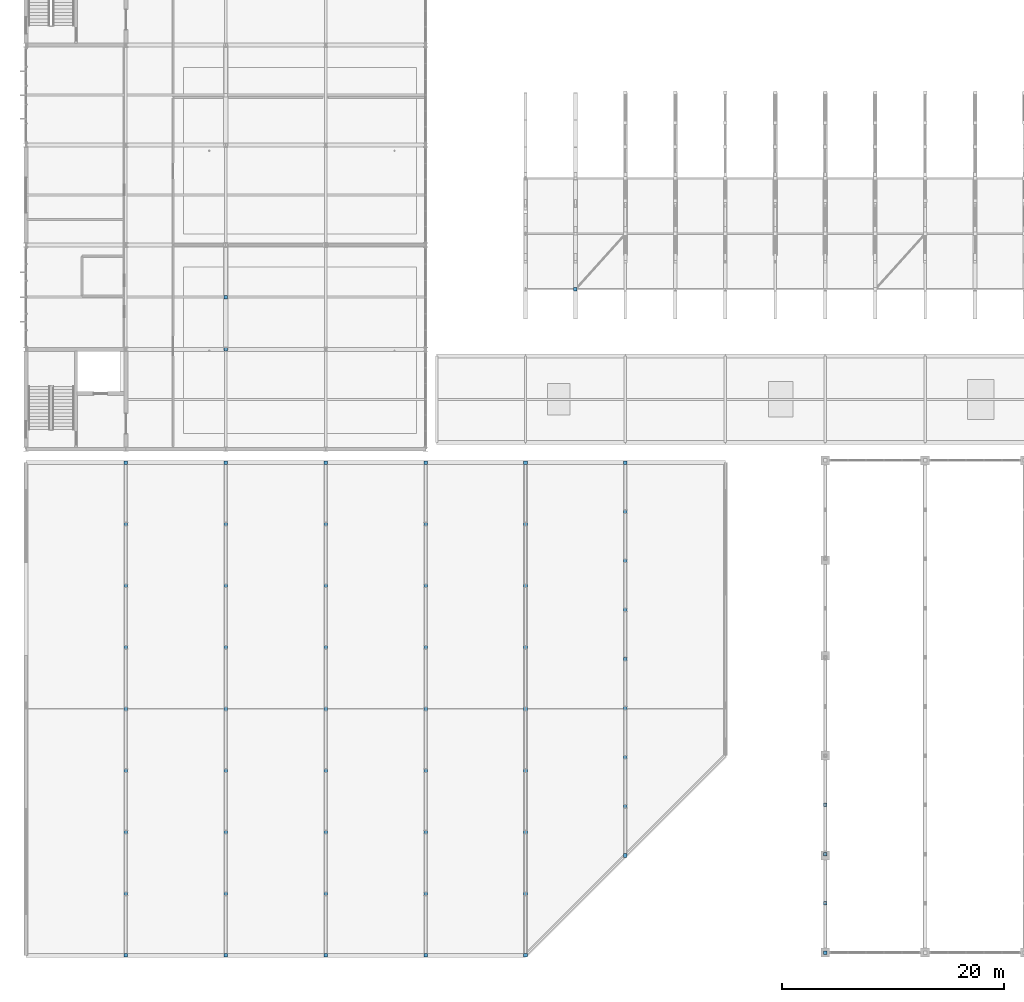
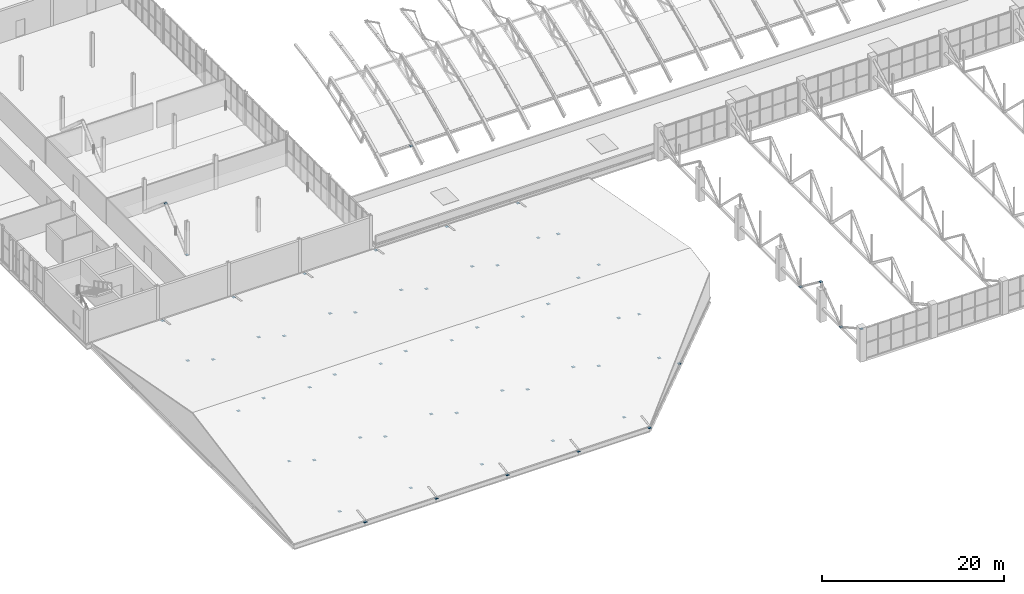
# One storey, part 94 of 103: 61 discrete accessories.
"""IFC4 building model written with IfcOpenShell, lengths in metres."""

from ifc_helpers import new_model, si_unit, direction, frame, origin, origin_2d, place, context, subcontext, project, spatial, rectangle, extrude, material, type_object, element, save


model = new_model("IFC4")

# Units and contexts
model_context = context("Model", 3, precision=1e-05, world=origin(), true_north=direction((0.0, 1.0)))
body_context = subcontext(model_context, "Body", "Model", "MODEL_VIEW")
ifc_project = project(units=[si_unit("LENGTHUNIT", "METRE"), si_unit("AREAUNIT", "SQUARE_METRE"), si_unit("VOLUMEUNIT", "CUBIC_METRE"), si_unit("PLANEANGLEUNIT", "RADIAN"), si_unit("MASSUNIT", "GRAM", prefix="KILO")], contexts=[model_context])

# Site, building, storey
site_placement = place(None, origin())
site = spatial("IfcSite", under=ifc_project, at=site_placement, CompositionType="ELEMENT")
building_placement = place(site_placement, origin())
building = spatial("IfcBuilding", under=site, at=building_placement, Name="Cazmaro Siding Exhibition Halls", CompositionType="ELEMENT")
storey_placement = place(building_placement, frame((0.0, 0.0, 16.5)))
storey = spatial("IfcBuildingStorey", under=building, at=storey_placement, Name="L03", CompositionType="ELEMENT", Elevation=16.5)

# Discrete accessories
ifc_material = material(Name="Steel ASTM A572 Grade 50", Category="steel")
discrete_accessory_type = type_object("IfcDiscreteAccessoryType", Name="GP-CONN-01", PredefinedType="BRACKET", material=ifc_material)
for number, where, z_axis, x_axis, name in (
    (1, (9.0, 9.0, 0.48486328125), (0.0, 0.0, 1.0), (1.0, 0.0, 0.0), "Welded Steel Brace Node Gusset Connection GP-01 0001"),
    (2, (9.0, 14.550048828125, -1.46484375), (0.0, 0.0, 1.0), (1.0, 0.0, 0.0), "Welded Steel Brace Node Gusset Connection GP-01 0002"),
    (3, (9.0, 20.10009765625, 2.044921875), (0.0, 0.0, 1.0), (1.0, 0.0, 0.0), "Welded Steel Brace Node Gusset Connection GP-01 0003"),
    (4, (9.0, 25.64990234375, -1.46484375), (0.0, 0.0, 1.0), (1.0, 0.0, 0.0), "Welded Steel Brace Node Gusset Connection GP-01 0004"),
    (5, (9.0, 31.199951171875, 3.60498046875), (0.0, 0.0, 1.0), (1.0, 0.0, 0.0), "Welded Steel Brace Node Gusset Connection GP-01 0005"),
    (6, (9.0, 36.75, -1.46484375), (0.0, 0.0, 1.0), (1.0, 0.0, 0.0), "Welded Steel Brace Node Gusset Connection GP-01 0006"),
    (7, (9.0, 42.300048828125, 2.044921875), (0.0, 0.0, 1.0), (1.0, 0.0, 0.0), "Welded Steel Brace Node Gusset Connection GP-01 0007"),
    (8, (9.0, 47.85009765625, -1.46484375), (0.0, 0.0, 1.0), (1.0, 0.0, 0.0), "Welded Steel Brace Node Gusset Connection GP-01 0008"),
    (9, (9.0, 53.39990234375, 0.48486328125), (0.0, 0.0, 1.0), (1.0, 0.0, 0.0), "Welded Steel Brace Node Gusset Connection GP-01 0009"),
    (10, (18.0, 9.0, 0.48486328125), (0.0, 0.0, 1.0), (1.0, 0.0, 0.0), "Welded Steel Brace Node Gusset Connection GP-01 0016"),
    (11, (18.0, 14.550048828125, -1.46484375), (0.0, 0.0, 1.0), (1.0, 0.0, 0.0), "Welded Steel Brace Node Gusset Connection GP-01 0017"),
    (12, (18.0, 20.10009765625, 2.044921875), (0.0, 0.0, 1.0), (1.0, 0.0, 0.0), "Welded Steel Brace Node Gusset Connection GP-01 0018"),
    (13, (18.0, 25.64990234375, -1.46484375), (0.0, 0.0, 1.0), (1.0, 0.0, 0.0), "Welded Steel Brace Node Gusset Connection GP-01 0019"),
    (14, (18.0, 31.199951171875, 3.60498046875), (0.0, 0.0, 1.0), (1.0, 0.0, 0.0), "Welded Steel Brace Node Gusset Connection GP-01 0020"),
    (15, (18.0, 36.75, -1.46484375), (0.0, 0.0, 1.0), (1.0, 0.0, 0.0), "Welded Steel Brace Node Gusset Connection GP-01 0021"),
    (16, (18.0, 42.300048828125, 2.044921875), (0.0, 0.0, 1.0), (1.0, 0.0, 0.0), "Welded Steel Brace Node Gusset Connection GP-01 0022"),
    (17, (18.0, 47.85009765625, -1.46484375), (0.0, 0.0, 1.0), (1.0, 0.0, 0.0), "Welded Steel Brace Node Gusset Connection GP-01 0023"),
    (18, (18.0, 53.39990234375, 0.48486328125), (0.0, 0.0, 1.0), (1.0, 0.0, 0.0), "Welded Steel Brace Node Gusset Connection GP-01 0024"),
    (19, (18.0, 63.60009765625, -0.01513671875), (0.0, 0.0, 1.0), (1.0, 0.0, 0.0), "Welded Steel Brace Node Gusset Connection GP-01 0027"),
    (20, (18.0, 68.300048828125, 3.9970703125), (0.0, 0.0, 1.0), (1.0, 0.0, 0.0), "Welded Steel Brace Node Gusset Connection GP-01 0031"),
    (21, (27.0, 9.0, 0.48486328125), (0.0, 0.0, 1.0), (1.0, 0.0, 0.0), "Welded Steel Brace Node Gusset Connection GP-01 0049"),
    (22, (27.0, 14.550048828125, -1.46484375), (0.0, 0.0, 1.0), (1.0, 0.0, 0.0), "Welded Steel Brace Node Gusset Connection GP-01 0050"),
    (23, (27.0, 20.10009765625, 2.044921875), (0.0, 0.0, 1.0), (1.0, 0.0, 0.0), "Welded Steel Brace Node Gusset Connection GP-01 0051"),
    (24, (27.0, 25.64990234375, -1.46484375), (0.0, 0.0, 1.0), (1.0, 0.0, 0.0), "Welded Steel Brace Node Gusset Connection GP-01 0052"),
    (25, (27.0, 31.199951171875, 3.60498046875), (0.0, 0.0, 1.0), (1.0, 0.0, 0.0), "Welded Steel Brace Node Gusset Connection GP-01 0053"),
    (26, (27.0, 36.75, -1.46484375), (0.0, 0.0, 1.0), (1.0, 0.0, 0.0), "Welded Steel Brace Node Gusset Connection GP-01 0054"),
    (27, (27.0, 42.300048828125, 2.044921875), (0.0, 0.0, 1.0), (1.0, 0.0, 0.0), "Welded Steel Brace Node Gusset Connection GP-01 0055"),
    (28, (27.0, 47.85009765625, -1.46484375), (0.0, 0.0, 1.0), (1.0, 0.0, 0.0), "Welded Steel Brace Node Gusset Connection GP-01 0056"),
    (29, (27.0, 53.39990234375, 0.48486328125), (0.0, 0.0, 1.0), (1.0, 0.0, 0.0), "Welded Steel Brace Node Gusset Connection GP-01 0057"),
    (30, (36.0, 9.0, 0.48486328125), (0.0, 0.0, 1.0), (1.0, 0.0, 0.0), "Welded Steel Brace Node Gusset Connection GP-01 0058"),
    (31, (36.0, 14.550048828125, -1.46484375), (0.0, 0.0, 1.0), (1.0, 0.0, 0.0), "Welded Steel Brace Node Gusset Connection GP-01 0059"),
    (32, (36.0, 20.10009765625, 2.044921875), (0.0, 0.0, 1.0), (1.0, 0.0, 0.0), "Welded Steel Brace Node Gusset Connection GP-01 0060"),
    (33, (36.0, 25.64990234375, -1.46484375), (0.0, 0.0, 1.0), (1.0, 0.0, 0.0), "Welded Steel Brace Node Gusset Connection GP-01 0061"),
    (34, (36.0, 31.199951171875, 3.60498046875), (0.0, 0.0, 1.0), (1.0, 0.0, 0.0), "Welded Steel Brace Node Gusset Connection GP-01 0062"),
    (35, (36.0, 36.75, -1.46484375), (0.0, 0.0, 1.0), (1.0, 0.0, 0.0), "Welded Steel Brace Node Gusset Connection GP-01 0063"),
    (36, (36.0, 42.300048828125, 2.044921875), (0.0, 0.0, 1.0), (1.0, 0.0, 0.0), "Welded Steel Brace Node Gusset Connection GP-01 0064"),
    (37, (36.0, 47.85009765625, -1.46484375), (0.0, 0.0, 1.0), (1.0, 0.0, 0.0), "Welded Steel Brace Node Gusset Connection GP-01 0065"),
    (38, (36.0, 53.39990234375, 0.48486328125), (0.0, 0.0, 1.0), (1.0, 0.0, 0.0), "Welded Steel Brace Node Gusset Connection GP-01 0066"),
    (39, (45.0, 9.0, 0.48486328125), (0.0, 0.0, 1.0), (1.0, 0.0, 0.0), "Welded Steel Brace Node Gusset Connection GP-01 0067"),
    (40, (45.0, 14.550048828125, -1.46484375), (0.0, 0.0, 1.0), (1.0, 0.0, 0.0), "Welded Steel Brace Node Gusset Connection GP-01 0068"),
    (41, (45.0, 20.10009765625, 2.044921875), (0.0, 0.0, 1.0), (1.0, 0.0, 0.0), "Welded Steel Brace Node Gusset Connection GP-01 0069"),
    (42, (45.0, 25.64990234375, -1.46484375), (0.0, 0.0, 1.0), (1.0, 0.0, 0.0), "Welded Steel Brace Node Gusset Connection GP-01 0070"),
    (43, (45.0, 31.199951171875, 3.60498046875), (0.0, 0.0, 1.0), (1.0, 0.0, 0.0), "Welded Steel Brace Node Gusset Connection GP-01 0071"),
    (44, (45.0, 36.75, -1.46484375), (0.0, 0.0, 1.0), (1.0, 0.0, 0.0), "Welded Steel Brace Node Gusset Connection GP-01 0072"),
    (45, (45.0, 42.300048828125, 2.044921875), (0.0, 0.0, 1.0), (1.0, 0.0, 0.0), "Welded Steel Brace Node Gusset Connection GP-01 0073"),
    (46, (45.0, 47.85009765625, -1.46484375), (0.0, 0.0, 1.0), (1.0, 0.0, 0.0), "Welded Steel Brace Node Gusset Connection GP-01 0074"),
    (47, (45.0, 53.39990234375, 0.48486328125), (0.0, 0.0, 1.0), (1.0, 0.0, 0.0), "Welded Steel Brace Node Gusset Connection GP-01 0075"),
    (48, (49.5, 69.0, 0.24609375), (0.0, 0.0, 1.0), (1.0, 0.0, 0.0), "Welded Steel Brace Node Gusset Connection GP-01 0077"),
    (49, (54.0, 18.0, 0.48486328125), (0.0, 0.0, 1.0), (1.0, 0.0, 0.0), "Welded Steel Brace Node Gusset Connection GP-01 0081"),
    (50, (54.0, 22.425048828125, -1.46484375), (0.0, 0.0, 1.0), (1.0, 0.0, 0.0), "Welded Steel Brace Node Gusset Connection GP-01 0082"),
    (51, (54.0, 26.85009765625, 1.72900390625), (0.0, 0.0, 1.0), (1.0, 0.0, 0.0), "Welded Steel Brace Node Gusset Connection GP-01 0083"),
    (52, (54.0, 31.27490234375, -1.46484375), (0.0, 0.0, 1.0), (1.0, 0.0, 0.0), "Welded Steel Brace Node Gusset Connection GP-01 0084"),
    (53, (54.0, 35.699951171875, 2.97314453125), (0.0, 0.0, 1.0), (1.0, 0.0, 0.0), "Welded Steel Brace Node Gusset Connection GP-01 0085"),
    (54, (54.0, 40.125, -1.46484375), (0.0, 0.0, 1.0), (1.0, 0.0, 0.0), "Welded Steel Brace Node Gusset Connection GP-01 0086"),
    (55, (54.0, 44.550048828125, 1.72900390625), (0.0, 0.0, 1.0), (1.0, 0.0, 0.0), "Welded Steel Brace Node Gusset Connection GP-01 0087"),
    (56, (54.0, 48.97509765625, -1.46484375), (0.0, 0.0, 1.0), (1.0, 0.0, 0.0), "Welded Steel Brace Node Gusset Connection GP-01 0088"),
    (57, (54.0, 53.39990234375, 0.48486328125), (0.0, 0.0, 1.0), (1.0, 0.0, 0.0), "Welded Steel Brace Node Gusset Connection GP-01 0089"),
    (58, (72.0, 9.25, 4.125), (0.0, 0.0, 1.0), (1.0, 0.0, 0.0), "Welded Steel Brace Node Gusset Connection GP-01 0182"),
    (59, (72.0, 13.68505859375, 1.68505859375), (0.0, 0.0, 1.0), (1.0, 0.0, 0.0), "Welded Steel Brace Node Gusset Connection GP-01 0183"),
    (60, (72.0, 18.1201171875, 5.05810546875), (0.0, 0.0, 1.0), (1.0, 0.0, 0.0), "Welded Steel Brace Node Gusset Connection GP-01 0184"),
    (61, (72.0, 22.554931640625, 1.68505859375), (0.0, 0.0, 1.0), (1.0, 0.0, 0.0), "Welded Steel Brace Node Gusset Connection GP-01 0185"),
):
    element("IfcDiscreteAccessory", number, at=place(storey_placement, frame(where, z_axis=z_axis, x_axis=x_axis)), inside=storey, type_object=discrete_accessory_type, Name=name, PredefinedType="BRACKET", context=body_context, shape_type="SweptSolid", body=[
        extrude(rectangle(XDim=0.320068359375, YDim=0.320068359375, at=origin_2d()), origin(), (0.0, 0.0, 1.0), 0.030029296875),
    ])

save(model, "model.ifc")
